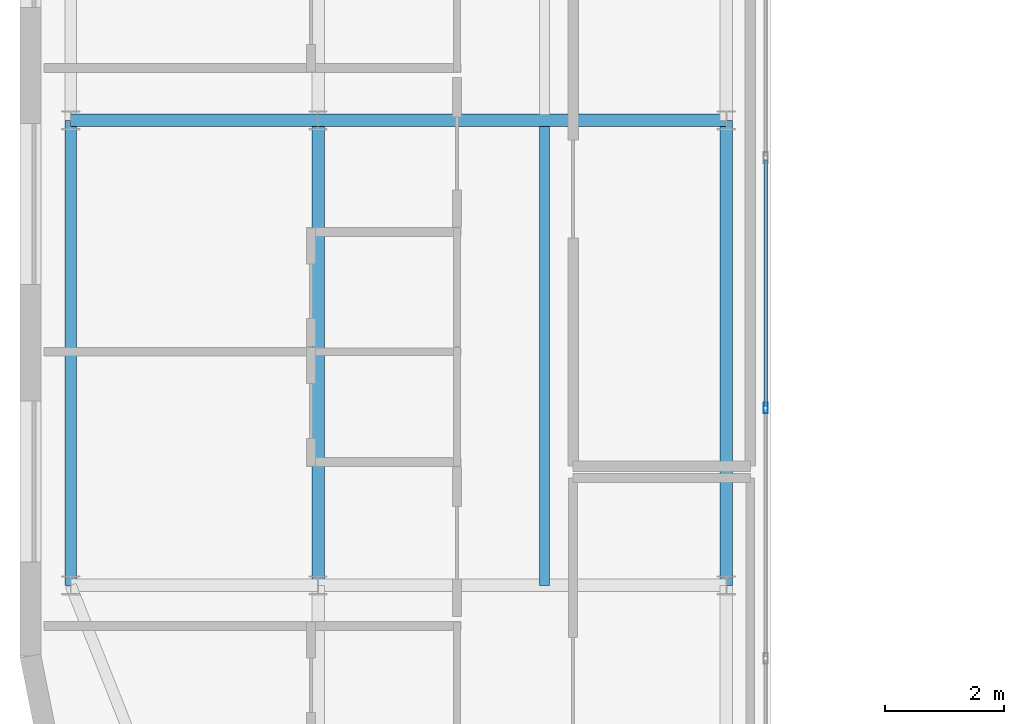
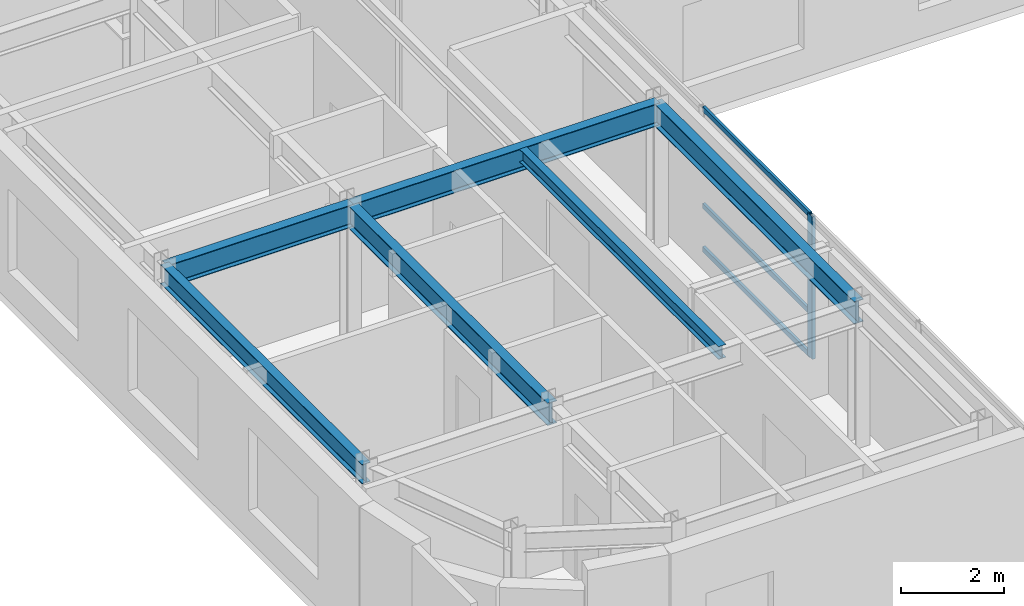
# One storey, part 5 of 18: 6 beams, 4 members, 1 element without a shape of its own.
"""IFC4 building model written with IfcOpenShell, lengths in metres."""

from ifc_helpers import new_model, si_unit, direction, frame, origin, origin_2d, place, context, subcontext, project, spatial, hollow_rectangle, i_section, extrude, source, transform, mapped, material, layer, layer_set, material_profile, profile_set, type_object, type_shapes, element, aggregate, save


model = new_model("IFC4")

# Units and contexts
model_context = context("Model", 3, precision=1e-05, world=origin(), true_north=direction((0.0, 1.0)))
body_context = subcontext(model_context, "Body", "Model", "MODEL_VIEW")
ifc_project = project(units=[si_unit("LENGTHUNIT", "METRE"), si_unit("AREAUNIT", "SQUARE_METRE"), si_unit("VOLUMEUNIT", "CUBIC_METRE"), si_unit("PLANEANGLEUNIT", "RADIAN"), si_unit("MASSUNIT", "GRAM", prefix="KILO")], contexts=[model_context])

# Site, building, storey
site_placement = place(None, origin())
site = spatial("IfcSite", under=ifc_project, at=site_placement, CompositionType="ELEMENT")
building_placement = place(site_placement, origin())
building = spatial("IfcBuilding", under=site, at=building_placement, Name="Tolvann Quenvar Hotel", CompositionType="ELEMENT")
storey_placement = place(building_placement, frame((0.0, 0.0, 245.199951171875)))
storey = spatial("IfcBuildingStorey", under=building, at=storey_placement, Name="L65", CompositionType="ELEMENT", Elevation=245.199951171875)

# Beams
ifc_material_1 = material(Name="Steel Grade 350", Category="steel")
ifc_material_profile_1 = material_profile(ifc_material_1, i_section(OverallWidth=0.208984375, OverallDepth=0.532958984375, WebThickness=0.01025390625, FlangeThickness=0.015625, FilletRadius=0.013916015625, at=origin_2d()), Name="530UB92")
ifc_profile_set_1 = profile_set([ifc_material_profile_1], Name="Steel Grade 350")
beam_type_1 = type_object("IfcBeamType", Name="BM_GIRD_530UB92", PredefinedType="BEAM", material=ifc_profile_set_1)
shared_shape_1 = source(origin(), body_context, "Body", "SweptSolid", [
    extrude(i_section(OverallWidth=0.208984375, OverallDepth=0.532958984375, WebThickness=0.01025390625, FlangeThickness=0.015625, FilletRadius=0.013916015625, at=origin_2d()), origin(), (0.0, 0.0, 1.0), 7.800048828125),
])
for number, where, z_axis, x_axis, name in (
    (1, (7.60009765625, 8.199951171875, 3.103515625), (0.0, 1.0, 0.0), (-1.0, 0.0, 0.0), "BM-L65-NS-C3-C4"),
    (2, (14.449951171875, 8.199951171875, 3.103515625), (0.0, 1.0, 0.0), (-1.0, 0.0, 0.0), "BM-L65-NS-D3-D4"),
):
    element("IfcBeam", number, at=place(storey_placement, frame(where, z_axis=z_axis, x_axis=x_axis)), inside=storey, type_object=beam_type_1, Name=name, PredefinedType="BEAM", context=body_context, shape_type="MappedRepresentation", body=[
        mapped(shared_shape_1, transform((0.0, 0.0, 0.0), x_axis=(1.0, 0.0, 0.0), y_axis=(0.0, 1.0, 0.0), z_axis=(0.0, 0.0, 1.0), scale=1.0)),
    ])
ifc_material_profile_2 = material_profile(ifc_material_1, i_section(OverallWidth=0.19091796875, OverallDepth=0.4599609375, WebThickness=0.010009765625, FlangeThickness=0.01611328125, FilletRadius=0.011474609375, at=origin_2d()), Name="460UB82")
ifc_profile_set_2 = profile_set([ifc_material_profile_2], Name="Steel Grade 350")
beam_type_2 = type_object("IfcBeamType", Name="BM_SPAND_460UB82", PredefinedType="SPANDREL", material=ifc_profile_set_2)
shared_shape_2 = source(origin(), body_context, "Body", "SweptSolid", [
    extrude(i_section(OverallWidth=0.19091796875, OverallDepth=0.4599609375, WebThickness=0.010009765625, FlangeThickness=0.01611328125, FilletRadius=0.011474609375, at=origin_2d()), origin(), (0.0, 0.0, 1.0), 7.800048828125),
])
type_shapes(beam_type_2, [shared_shape_2])
beam_1_placement = place(storey_placement, frame((3.449951171875, 8.199951171875, 3.14013671875), z_axis=(0.0, 1.0, 0.0), x_axis=(-1.0, 0.0, 0.0)))
element("IfcBeam", 3, at=beam_1_placement, inside=storey, type_object=beam_type_2, Name="BM-L65-NS-B3-B4", PredefinedType="SPANDREL", context=body_context, shape_type="MappedRepresentation", body=[
    mapped(shared_shape_2, transform((0.0, 0.0, 0.0), x_axis=(1.0, 0.0, 0.0), y_axis=(0.0, 1.0, 0.0), z_axis=(0.0, 0.0, 1.0), scale=1.0)),
])
shared_shape_3 = source(origin(), body_context, "Body", "SweptSolid", [
    extrude(i_section(OverallWidth=0.208984375, OverallDepth=0.532958984375, WebThickness=0.01025390625, FlangeThickness=0.015625, FilletRadius=0.013916015625, at=origin_2d()), origin(), (0.0, 0.0, 1.0), 4.150146484375),
])
beam_2_placement = place(storey_placement, frame((3.449951171875, 16.0, 3.103515625), z_axis=(1.0, 0.0, 0.0), x_axis=(0.0, 1.0, 0.0)))
element("IfcBeam", 4, at=beam_2_placement, inside=storey, type_object=beam_type_1, Name="BM-L65-EW-4-B4-C4", PredefinedType="BEAM", context=body_context, shape_type="MappedRepresentation", body=[
    mapped(shared_shape_3, transform((0.0, 0.0, 0.0), x_axis=(1.0, 0.0, 0.0), y_axis=(0.0, 1.0, 0.0), z_axis=(0.0, 0.0, 1.0), scale=1.0)),
])
shared_shape_4 = source(origin(), body_context, "Body", "SweptSolid", [
    extrude(i_section(OverallWidth=0.208984375, OverallDepth=0.532958984375, WebThickness=0.01025390625, FlangeThickness=0.015625, FilletRadius=0.013916015625, at=origin_2d()), origin(), (0.0, 0.0, 1.0), 6.849853515625),
])
type_shapes(beam_type_1, [shared_shape_1, shared_shape_3, shared_shape_4])
beam_3_placement = place(storey_placement, frame((7.60009765625, 16.0, 3.103515625), z_axis=(1.0, 0.0, 0.0), x_axis=(0.0, 1.0, 0.0)))
element("IfcBeam", 5, at=beam_3_placement, inside=storey, type_object=beam_type_1, Name="BM-L65-EW-4-C4-D4", PredefinedType="BEAM", context=body_context, shape_type="MappedRepresentation", body=[
    mapped(shared_shape_4, transform((0.0, 0.0, 0.0), x_axis=(1.0, 0.0, 0.0), y_axis=(0.0, 1.0, 0.0), z_axis=(0.0, 0.0, 1.0), scale=1.0)),
])
ifc_material_profile_3 = material_profile(ifc_material_1, i_section(OverallWidth=0.166015625, OverallDepth=0.306884765625, WebThickness=0.006591796875, FlangeThickness=0.01171875, FilletRadius=0.011474609375, at=origin_2d()), Name="310UB46")
ifc_profile_set_3 = profile_set([ifc_material_profile_3], Name="Steel Grade 350")
beam_type_3 = type_object("IfcBeamType", Name="BM_JOIST_310UB46", PredefinedType="JOIST", material=ifc_profile_set_3)
shared_shape_5 = source(origin(), body_context, "Body", "SweptSolid", [
    extrude(i_section(OverallWidth=0.166015625, OverallDepth=0.306884765625, WebThickness=0.006591796875, FlangeThickness=0.01171875, FilletRadius=0.011474609375, at=origin_2d()), origin(), (0.0, 0.0, 1.0), 7.70166015625),
])
type_shapes(beam_type_3, [shared_shape_5])
beam_4_placement = place(storey_placement, frame((11.39990234375, 8.199951171875, 3.216552734375), z_axis=(0.0, 1.0, 0.0), x_axis=(-1.0, 0.0, 0.0)))
element("IfcBeam", 6, at=beam_4_placement, inside=storey, type_object=beam_type_3, Name="BJ-L65-114-82", PredefinedType="JOIST", context=body_context, shape_type="MappedRepresentation", body=[
    mapped(shared_shape_5, transform((0.0, 0.0, 0.0), x_axis=(1.0, 0.0, 0.0), y_axis=(0.0, 1.0, 0.0), z_axis=(0.0, 0.0, 1.0), scale=1.0)),
])

# Curtain wall, members
ifc_material_2 = material(Name="Thermally broken anodised architectural aluminium 6063-T6 and laminated low-E glass", Category="aluminium")
ifc_layer = layer(ifc_material_2, 0.179931640625)
ifc_layer_set = layer_set([ifc_layer], Name="Thermally broken anodised architectural aluminium 6063-T6 and laminated low-E glass")
curtain_wall_type = type_object("IfcCurtainWallType", Name="CW_SYS_PORTAL_05", PredefinedType="USERDEFINED", material=ifc_layer_set)
curtain_wall_placement = place(storey_placement, origin())
curtain_wall = element("IfcCurtainWall", 7, at=curtain_wall_placement, inside=storey, type_object=curtain_wall_type, Name="Curtain Wall CW-PORTAL-05 (CWR-L65-E05)", ObjectType="UNITISED CURTAIN WALL", PredefinedType="USERDEFINED")
ifc_material_3 = material(Name="Anodised architectural aluminium 6063-T6 framing", Category="aluminium")
ifc_material_profile_4 = material_profile(ifc_material_3, hollow_rectangle(XDim=0.070068359375, YDim=0.179931640625, WallThickness=0.00390625, at=origin_2d()), Name="180x70x4RHS")
ifc_profile_set_4 = profile_set([ifc_material_profile_4], Name="Anodised architectural aluminium 6063-T6 framing")
member_type_1 = type_object("IfcMemberType", Name="CW_MULL_180x70", PredefinedType="MULLION", material=ifc_profile_set_4)
shared_shape_6 = source(origin(), body_context, "Body", "SweptSolid", [
    extrude(hollow_rectangle(XDim=0.070068359375, YDim=0.179931640625, WallThickness=0.00390625, at=origin_2d()), origin(), (0.0, 0.0, 1.0), 3.3701171875),
])
type_shapes(member_type_1, [shared_shape_6])
member_1_placement = place(storey_placement, frame((15.110107421875, 11.175048828125, 0.0), z_axis=(0.0, 0.0, 1.0), x_axis=(-1.0, 0.0, 0.0)))
member_1 = element("IfcMember", 8, at=member_1_placement, type_object=member_type_1, Name="CW-PORTAL-05 mullion 3", PredefinedType="MULLION", context=body_context, shape_type="MappedRepresentation", body=[
    mapped(shared_shape_6, transform((0.0, 0.0, 0.0), x_axis=(1.0, 0.0, 0.0), y_axis=(0.0, 1.0, 0.0), z_axis=(0.0, 0.0, 1.0), scale=1.0)),
])
ifc_material_profile_5 = material_profile(ifc_material_3, hollow_rectangle(XDim=0.06005859375, YDim=0.1201171875, WallThickness=0.00341796875, at=origin_2d()), Name="120x60x3.5RHS")
ifc_profile_set_5 = profile_set([ifc_material_profile_5], Name="Anodised architectural aluminium 6063-T6 framing")
member_type_2 = type_object("IfcMemberType", Name="CW_TRAN_120x60", PredefinedType="USERDEFINED", material=ifc_profile_set_5)
shared_shape_7 = source(origin(), body_context, "Body", "SweptSolid", [
    extrude(hollow_rectangle(XDim=0.06005859375, YDim=0.1201171875, WallThickness=0.00341796875, at=origin_2d()), origin(), (0.0, 0.0, 1.0), 4.130126953125),
])
type_shapes(member_type_2, [shared_shape_7])
member_2_placement = place(storey_placement, frame((15.110107421875, 11.2099609375, 0.030029296875), z_axis=(0.0, 1.0, 0.0), x_axis=(-1.0, 0.0, 0.0)))
member_2 = element("IfcMember", 9, at=member_2_placement, type_object=member_type_2, Name="CW-PORTAL-05 transom 3.1", ObjectType="TRANSOM", PredefinedType="USERDEFINED", context=body_context, shape_type="MappedRepresentation", body=[
    mapped(shared_shape_7, transform((0.0, 0.0, 0.0), x_axis=(1.0, 0.0, 0.0), y_axis=(0.0, 1.0, 0.0), z_axis=(0.0, 0.0, 1.0), scale=1.0)),
])
member_3_placement = place(storey_placement, frame((15.110107421875, 11.2099609375, 1.050048828125), z_axis=(0.0, 1.0, 0.0), x_axis=(-1.0, 0.0, 0.0)))
member_3 = element("IfcMember", 10, at=member_3_placement, type_object=member_type_2, Name="CW-PORTAL-05 transom 3.2", ObjectType="TRANSOM", PredefinedType="USERDEFINED", context=body_context, shape_type="MappedRepresentation", body=[
    mapped(shared_shape_7, transform((0.0, 0.0, 0.0), x_axis=(1.0, 0.0, 0.0), y_axis=(0.0, 1.0, 0.0), z_axis=(0.0, 0.0, 1.0), scale=1.0)),
])
member_4_placement = place(storey_placement, frame((15.110107421875, 11.2099609375, 3.340087890625), z_axis=(0.0, 1.0, 0.0), x_axis=(-1.0, 0.0, 0.0)))
member_4 = element("IfcMember", 11, at=member_4_placement, type_object=member_type_2, Name="CW-PORTAL-05 transom 3.3", ObjectType="TRANSOM", PredefinedType="USERDEFINED", context=body_context, shape_type="MappedRepresentation", body=[
    mapped(shared_shape_7, transform((0.0, 0.0, 0.0), x_axis=(1.0, 0.0, 0.0), y_axis=(0.0, 1.0, 0.0), z_axis=(0.0, 0.0, 1.0), scale=1.0)),
])
aggregate(curtain_wall, [member_1, member_2, member_3, member_4])

save(model, "model.ifc")
